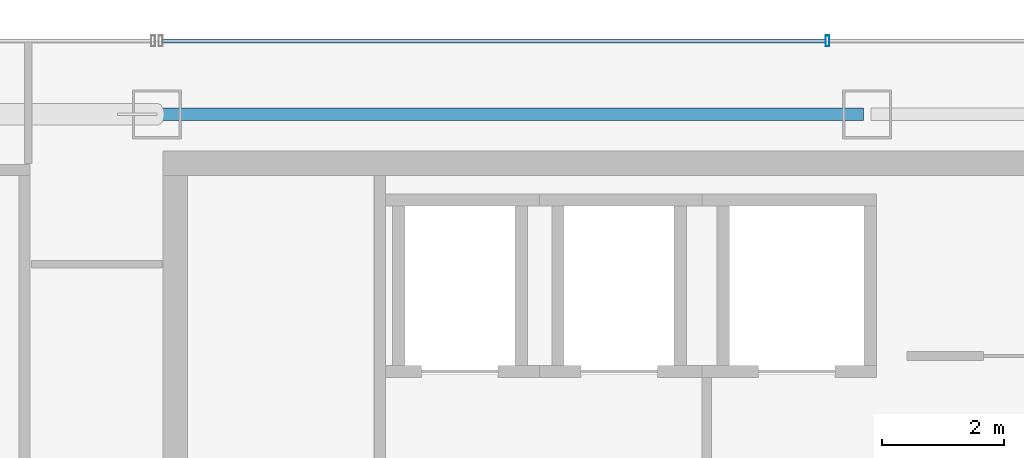
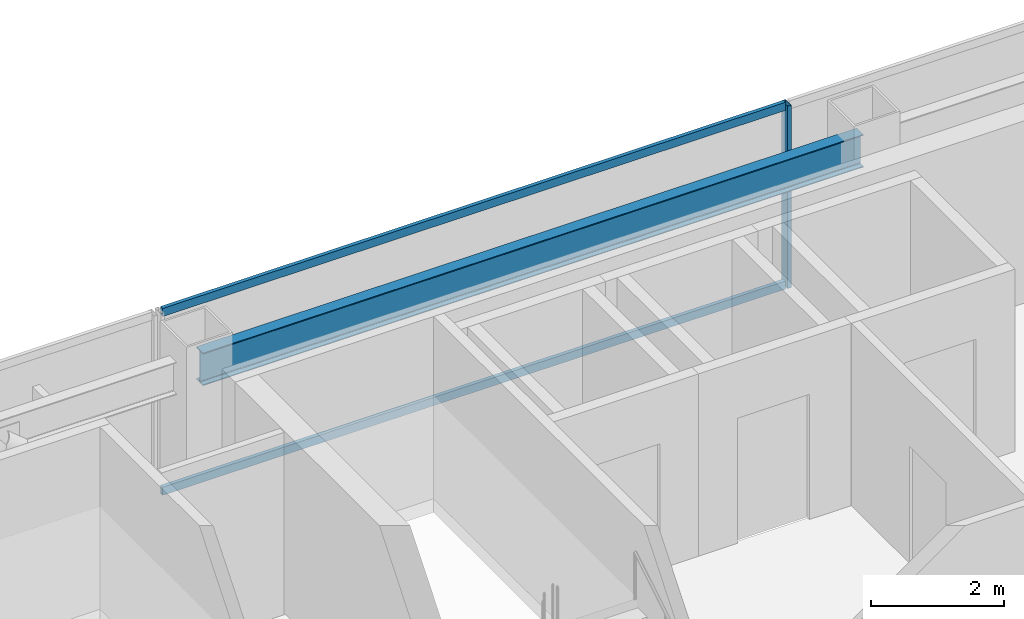
# One storey, part 22 of 35: 3 members, 1 beam, 1 element without a shape of its own.
"""IFC4 building model written with IfcOpenShell, lengths in metres."""

from ifc_helpers import new_model, si_unit, direction, frame, origin, origin_2d, place, context, subcontext, project, spatial, hollow_rectangle, i_section, extrude, material, material_profile, profile_set, type_object, element, aggregate, save


model = new_model("IFC4")

# Units and contexts
model_context = context("Model", 3, precision=1e-05, world=origin(), true_north=direction((0.0, 1.0)))
body_context = subcontext(model_context, "Body", "Model", "MODEL_VIEW")
ifc_project = project(units=[si_unit("LENGTHUNIT", "METRE"), si_unit("AREAUNIT", "SQUARE_METRE"), si_unit("VOLUMEUNIT", "CUBIC_METRE"), si_unit("PLANEANGLEUNIT", "RADIAN"), si_unit("MASSUNIT", "GRAM", prefix="KILO")], contexts=[model_context])

# Site, building, storey
site_placement = place(None, origin())
site = spatial("IfcSite", under=ifc_project, at=site_placement, CompositionType="ELEMENT")
building_placement = place(site_placement, origin())
building = spatial("IfcBuilding", under=site, at=building_placement, Name="Saevonmaru Cultural Tower", CompositionType="ELEMENT")
storey_placement = place(building_placement, frame((0.0, 0.0, 249.60009765625)))
storey = spatial("IfcBuildingStorey", under=building, at=storey_placement, Name="L58", CompositionType="ELEMENT", Elevation=249.60009765625)

# Beam
ifc_material_1 = material(Name="Steel SM355", Category="steel")
ifc_material_profile_1 = material_profile(ifc_material_1, i_section(OverallWidth=0.199951171875, OverallDepth=0.60009765625, WebThickness=0.010986328125, FlangeThickness=0.01708984375, FilletRadius=0.02197265625, at=origin_2d()), Name="H-600x200x11x17")
ifc_profile_set_1 = profile_set([ifc_material_profile_1], Name="Steel SM355")
beam_type = type_object("IfcBeamType", Name="BM-SP-H600", PredefinedType="SPANDREL", material=ifc_profile_set_1)
beam_placement = place(storey_placement, frame((13.659912109375, 54.800048828125, 3.0498046875), z_axis=(1.0, 0.0, 0.0), x_axis=(0.0, 1.0, 0.0)))
element("IfcBeam", 1, at=beam_placement, inside=storey, type_object=beam_type, Name="L58 North Spine Girder 2", PredefinedType="SPANDREL", context=body_context, shape_type="SweptSolid", body=[
    extrude(i_section(OverallWidth=0.199951171875, OverallDepth=0.60009765625, WebThickness=0.010986328125, FlangeThickness=0.01708984375, FilletRadius=0.02197265625, at=origin_2d()), origin(), (0.0, 0.0, 1.0), 11.47998046875),
])

# Curtain wall, members
ifc_material_2 = material(Name="Satin Bronze Anodised Aluminium", Category="aluminium")
curtain_wall_type = type_object("IfcCurtainWallType", Name="CW-TYP-B", PredefinedType="NOTDEFINED", material=ifc_material_2)
curtain_wall_placement = place(storey_placement, origin())
curtain_wall = element("IfcCurtainWall", 2, at=curtain_wall_placement, inside=storey, type_object=curtain_wall_type, Name="L58 North Spine Unitised Curtain Wall E10B", PredefinedType="NOTDEFINED")
ifc_material_profile_2 = material_profile(ifc_material_2, hollow_rectangle(XDim=0.06494140625, YDim=0.179931640625, WallThickness=0.00390625, at=origin_2d()), Name="ALU-MULL-180x65x4")
ifc_profile_set_2 = profile_set([ifc_material_profile_2], Name="Satin Bronze Anodised Aluminium")
member_type_1 = type_object("IfcMemberType", Name="ML-CW-180x65", PredefinedType="MULLION", material=ifc_profile_set_2)
member_1_placement = place(storey_placement, frame((24.55322265625, 56.0, 0.0), z_axis=(0.0, 0.0, 1.0), x_axis=(-1.0, 0.0, 0.0)))
member_1 = element("IfcMember", 3, at=member_1_placement, type_object=member_type_1, Name="CW-TW-L58-E10B mullion 3", PredefinedType="MULLION", context=body_context, shape_type="SweptSolid", body=[
    extrude(hollow_rectangle(XDim=0.06494140625, YDim=0.179931640625, WallThickness=0.00390625, at=origin_2d()), origin(), (0.0, 0.0, 1.0), 3.349853515625),
])
ifc_material_profile_3 = material_profile(ifc_material_2, hollow_rectangle(XDim=0.06494140625, YDim=0.14990234375, WallThickness=0.00390625, at=origin_2d()), Name="ALU-TRAN-150x65x4")
ifc_profile_set_3 = profile_set([ifc_material_profile_3], Name="Satin Bronze Anodised Aluminium")
member_type_2 = type_object("IfcMemberType", Name="TR-CW-150x65", PredefinedType="USERDEFINED", material=ifc_profile_set_3)
member_2_placement = place(storey_placement, frame((24.520751953125, 56.0, 0.032470703125), z_axis=(-1.0, 0.0, 0.0), x_axis=(0.0, -1.0, 0.0)))
member_2 = element("IfcMember", 4, at=member_2_placement, type_object=member_type_2, Name="CW-TW-L58-E10B transom 3.1", ObjectType="TRANSOM", PredefinedType="USERDEFINED", context=body_context, shape_type="SweptSolid", body=[
    extrude(hollow_rectangle(XDim=0.06494140625, YDim=0.14990234375, WallThickness=0.00390625, at=origin_2d()), origin(), (0.0, 0.0, 1.0), 10.828369140625),
])
member_3_placement = place(storey_placement, frame((24.520751953125, 56.0, 3.3173828125), z_axis=(-1.0, 0.0, 0.0), x_axis=(0.0, -1.0, 0.0)))
member_3 = element("IfcMember", 5, at=member_3_placement, type_object=member_type_2, Name="CW-TW-L58-E10B transom 3.2", ObjectType="TRANSOM", PredefinedType="USERDEFINED", context=body_context, shape_type="SweptSolid", body=[
    extrude(hollow_rectangle(XDim=0.06494140625, YDim=0.14990234375, WallThickness=0.00390625, at=origin_2d()), origin(), (0.0, 0.0, 1.0), 10.828369140625),
])
aggregate(curtain_wall, [member_1, member_2, member_3])

save(model, "model.ifc")
